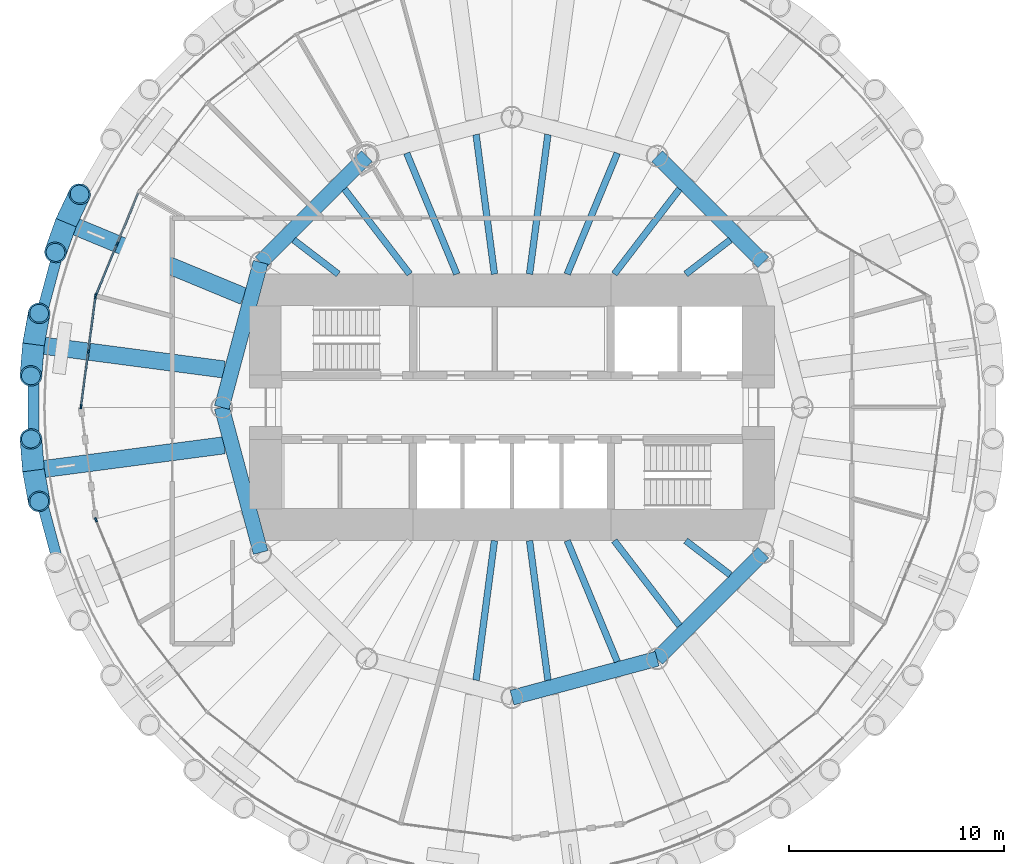
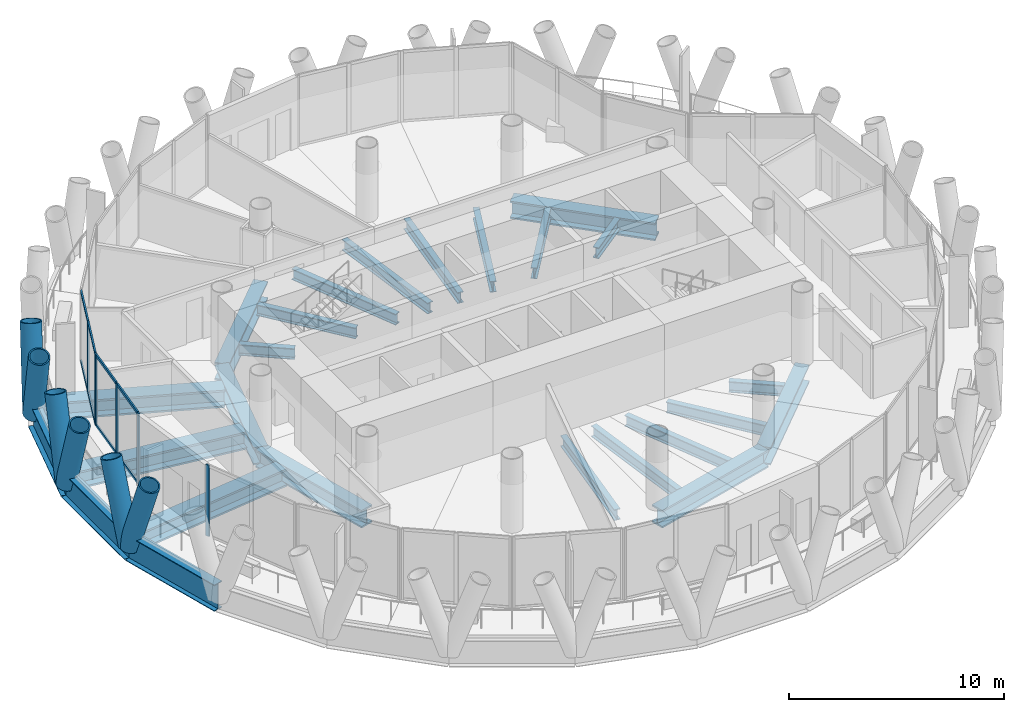
# One storey, part 3 of 14: 25 beams, 20 members, 3 elements without a shape of their own.
"""IFC4 building model written with IfcOpenShell, lengths in metres."""

from ifc_helpers import new_model, si_unit, direction, frame, origin, origin_2d, place, context, subcontext, project, spatial, rectangle, hollow_circle, i_section, extrude, material, material_profile, profile_set, type_object, element, aggregate, save


model = new_model("IFC4")

# Units and contexts
model_context = context("Model", 3, precision=1e-05, world=origin(), true_north=direction((0.0, 1.0)))
body_context = subcontext(model_context, "Body", "Model", "MODEL_VIEW")
ifc_project = project(units=[si_unit("LENGTHUNIT", "METRE"), si_unit("AREAUNIT", "SQUARE_METRE"), si_unit("VOLUMEUNIT", "CUBIC_METRE"), si_unit("PLANEANGLEUNIT", "RADIAN"), si_unit("MASSUNIT", "GRAM", prefix="KILO")], contexts=[model_context])

# Site, building, storey
site_placement = place(None, origin())
site = spatial("IfcSite", under=ifc_project, at=site_placement, CompositionType="ELEMENT")
building_placement = place(site_placement, origin())
building = spatial("IfcBuilding", under=site, at=building_placement, Name="Qaws Media Tower", CompositionType="ELEMENT")
storey_placement = place(building_placement, frame((0.0, 0.0, 236.0)))
storey = spatial("IfcBuildingStorey", under=building, at=storey_placement, Name="L54", CompositionType="ELEMENT", Elevation=236.0)

# Curtain wall, members
ifc_material_1 = material(Name="Aluminium and clear glass", Category="aluminium")
curtain_wall_type = type_object("IfcCurtainWallType", Name="Unitised curtain wall CW-C", PredefinedType="NOTDEFINED", material=ifc_material_1)
curtain_wall_1_placement = place(storey_placement, origin())
curtain_wall_1 = element("IfcCurtainWall", 1, at=curtain_wall_1_placement, inside=storey, type_object=curtain_wall_type, Name="CWC curtain wall L54-11", PredefinedType="NOTDEFINED")
ifc_material_2 = material(Name="Aluminium mullion", Category="aluminium")
ifc_material_profile_1 = material_profile(ifc_material_2, rectangle(XDim=0.080078125, YDim=0.199951171875, at=origin_2d()), Name="80x200")
ifc_profile_set_1 = profile_set([ifc_material_profile_1], Name="Aluminium mullion")
member_type_1 = type_object("IfcMemberType", Name="Curtain wall mullion 80x200", PredefinedType="MULLION", material=ifc_profile_set_1)
member_1_placement = place(storey_placement, frame((41.634765625, 57.607177734375, 0.0), z_axis=(0.0, 0.0, 1.0), x_axis=(0.923879492717, -0.382683528436, 0.0)))
member_1 = element("IfcMember", 2, at=member_1_placement, type_object=member_type_1, Name="CWC mullion 2", PredefinedType="MULLION", context=body_context, shape_type="SweptSolid", body=[
    extrude(rectangle(XDim=0.080078125, YDim=0.199951171875, at=origin_2d()), origin(), (0.0, 0.0, 1.0), 4.0400390625),
])
member_2_placement = place(storey_placement, frame((40.6484375, 55.226318359375, 0.0), z_axis=(0.0, 0.0, 1.0), x_axis=(0.923879492717, -0.382683528436, 0.0)))
member_2 = element("IfcMember", 3, at=member_2_placement, type_object=member_type_1, Name="CWC mullion 3", PredefinedType="MULLION", context=body_context, shape_type="SweptSolid", body=[
    extrude(rectangle(XDim=0.080078125, YDim=0.199951171875, at=origin_2d()), origin(), (0.0, 0.0, 1.0), 4.0400390625),
])

curtain_wall_2_placement = place(storey_placement, origin())
curtain_wall_2 = element("IfcCurtainWall", 4, at=curtain_wall_2_placement, inside=storey, type_object=curtain_wall_type, Name="CWC curtain wall L54-12", PredefinedType="NOTDEFINED")
member_3_placement = place(storey_placement, frame((40.6279296875, 55.149658203125, 0.0), z_axis=(0.0, 0.0, 1.0), x_axis=(0.99144486637, -0.130526154272, 0.0)))
member_3 = element("IfcMember", 5, at=member_3_placement, type_object=member_type_1, Name="CWC mullion 1", PredefinedType="MULLION", context=body_context, shape_type="SweptSolid", body=[
    extrude(rectangle(XDim=0.080078125, YDim=0.199951171875, at=origin_2d()), origin(), (0.0, 0.0, 1.0), 4.0400390625),
])
member_4_placement = place(storey_placement, frame((40.29150390625, 52.5947265625, 0.0), z_axis=(0.0, 0.0, 1.0), x_axis=(0.99144486637, -0.130526154272, 0.0)))
member_4 = element("IfcMember", 6, at=member_4_placement, type_object=member_type_1, Name="CWC mullion 2", PredefinedType="MULLION", context=body_context, shape_type="SweptSolid", body=[
    extrude(rectangle(XDim=0.080078125, YDim=0.199951171875, at=origin_2d()), origin(), (0.0, 0.0, 1.0), 4.0400390625),
])
member_5_placement = place(storey_placement, frame((39.955322265625, 50.03955078125, 0.0), z_axis=(0.0, 0.0, 1.0), x_axis=(0.99144486637, -0.130526154272, 0.0)))
member_5 = element("IfcMember", 7, at=member_5_placement, type_object=member_type_1, Name="CWC mullion 3", PredefinedType="MULLION", context=body_context, shape_type="SweptSolid", body=[
    extrude(rectangle(XDim=0.080078125, YDim=0.199951171875, at=origin_2d()), origin(), (0.0, 0.0, 1.0), 4.0400390625),
])

# Curtain wall, member
curtain_wall_3_placement = place(storey_placement, origin())
curtain_wall_3 = element("IfcCurtainWall", 8, at=curtain_wall_3_placement, inside=storey, type_object=curtain_wall_type, Name="CWC curtain wall L54-14", PredefinedType="NOTDEFINED")
member_6_placement = place(storey_placement, frame((40.6484375, 44.773681640625, 0.0), z_axis=(0.0, 0.0, 1.0), x_axis=(0.923879492717, 0.382683528436, 0.0)))
member_6 = element("IfcMember", 9, at=member_6_placement, type_object=member_type_1, Name="CWC mullion 1", PredefinedType="MULLION", context=body_context, shape_type="SweptSolid", body=[
    extrude(rectangle(XDim=0.080078125, YDim=0.199951171875, at=origin_2d()), origin(), (0.0, 0.0, 1.0), 4.0400390625),
])
aggregate(curtain_wall_3, [member_6])

# Member
ifc_material_3 = material(Name="Aluminium transom", Category="aluminium")
ifc_material_profile_2 = material_profile(ifc_material_3, rectangle(XDim=0.080078125, YDim=0.159912109375, at=origin_2d()), Name="80x160")
ifc_profile_set_2 = profile_set([ifc_material_profile_2], Name="Aluminium transom")
member_type_2 = type_object("IfcMemberType", Name="Curtain wall transom 80x160", PredefinedType="USERDEFINED", material=ifc_profile_set_2)
member_7_placement = place(storey_placement, frame((42.60546875, 59.951171875, 0.0400390625), z_axis=(-0.38265688181, -0.923890529664, 0.0), x_axis=(0.923890529664, -0.38265688181, 0.0)))
member_7 = element("IfcMember", 10, at=member_7_placement, type_object=member_type_2, Name="CWC transom 1.1", ObjectType="TRANSOM", PredefinedType="USERDEFINED", context=body_context, shape_type="SweptSolid", body=[
    extrude(rectangle(XDim=0.080078125, YDim=0.159912109375, at=origin_2d()), origin(), (0.0, 0.0, 1.0), 2.4970703125),
])

member_8_placement = place(storey_placement, frame((42.60546875, 59.951171875, 4.0), z_axis=(-0.38265688181, -0.923890529664, 0.0), x_axis=(0.923890529664, -0.38265688181, 0.0)))
member_8 = element("IfcMember", 11, at=member_8_placement, type_object=member_type_2, Name="CWC transom 1.2", ObjectType="TRANSOM", PredefinedType="USERDEFINED", context=body_context, shape_type="SweptSolid", body=[
    extrude(rectangle(XDim=0.080078125, YDim=0.159912109375, at=origin_2d()), origin(), (0.0, 0.0, 1.0), 2.4970703125),
])

member_9_placement = place(storey_placement, frame((41.619384765625, 57.5703125, 0.0400390625), z_axis=(-0.38265688181, -0.923890529664, 0.0), x_axis=(0.923890529664, -0.38265688181, 0.0)))
member_9 = element("IfcMember", 12, at=member_9_placement, type_object=member_type_2, Name="CWC transom 2.1", ObjectType="TRANSOM", PredefinedType="USERDEFINED", context=body_context, shape_type="SweptSolid", body=[
    extrude(rectangle(XDim=0.080078125, YDim=0.159912109375, at=origin_2d()), origin(), (0.0, 0.0, 1.0), 2.4970703125),
])

member_10_placement = place(storey_placement, frame((41.619384765625, 57.5703125, 4.0), z_axis=(-0.38265688181, -0.923890529664, 0.0), x_axis=(0.923890529664, -0.38265688181, 0.0)))
member_10 = element("IfcMember", 13, at=member_10_placement, type_object=member_type_2, Name="CWC transom 2.2", ObjectType="TRANSOM", PredefinedType="USERDEFINED", context=body_context, shape_type="SweptSolid", body=[
    extrude(rectangle(XDim=0.080078125, YDim=0.159912109375, at=origin_2d()), origin(), (0.0, 0.0, 1.0), 2.4970703125),
])

aggregate(curtain_wall_1, [member_1, member_2, member_7, member_8, member_9, member_10])

member_11_placement = place(storey_placement, frame((40.622802734375, 55.110107421875, 0.0400390625), z_axis=(-0.130517737487, -0.991445974424, 0.0), x_axis=(0.991445974424, -0.130517737487, 0.0)))
member_11 = element("IfcMember", 14, at=member_11_placement, type_object=member_type_2, Name="CWC transom 1.1", ObjectType="TRANSOM", PredefinedType="USERDEFINED", context=body_context, shape_type="SweptSolid", body=[
    extrude(rectangle(XDim=0.080078125, YDim=0.159912109375, at=origin_2d()), origin(), (0.0, 0.0, 1.0), 2.4970703125),
])

member_12_placement = place(storey_placement, frame((40.622802734375, 55.110107421875, 4.0), z_axis=(-0.130517737487, -0.991445974424, 0.0), x_axis=(0.991445974424, -0.130517737487, 0.0)))
member_12 = element("IfcMember", 15, at=member_12_placement, type_object=member_type_2, Name="CWC transom 1.2", ObjectType="TRANSOM", PredefinedType="USERDEFINED", context=body_context, shape_type="SweptSolid", body=[
    extrude(rectangle(XDim=0.080078125, YDim=0.159912109375, at=origin_2d()), origin(), (0.0, 0.0, 1.0), 2.4970703125),
])

member_13_placement = place(storey_placement, frame((40.286376953125, 52.554931640625, 0.0400390625), z_axis=(-0.130530389761, -0.991444308748, 0.0), x_axis=(0.991444308748, -0.130530389761, 0.0)))
member_13 = element("IfcMember", 16, at=member_13_placement, type_object=member_type_2, Name="CWC transom 2.1", ObjectType="TRANSOM", PredefinedType="USERDEFINED", context=body_context, shape_type="SweptSolid", body=[
    extrude(rectangle(XDim=0.080078125, YDim=0.159912109375, at=origin_2d()), origin(), (0.0, 0.0, 1.0), 2.4970703125),
])

member_14_placement = place(storey_placement, frame((40.286376953125, 52.554931640625, 4.0), z_axis=(-0.130530389761, -0.991444308748, 0.0), x_axis=(0.991444308748, -0.130530389761, 0.0)))
member_14 = element("IfcMember", 17, at=member_14_placement, type_object=member_type_2, Name="CWC transom 2.2", ObjectType="TRANSOM", PredefinedType="USERDEFINED", context=body_context, shape_type="SweptSolid", body=[
    extrude(rectangle(XDim=0.080078125, YDim=0.159912109375, at=origin_2d()), origin(), (0.0, 0.0, 1.0), 2.4970703125),
])

aggregate(curtain_wall_2, [member_3, member_4, member_5, member_11, member_12, member_13, member_14])

# Members
ifc_material_4 = material(Name="Steel S460", Category="steel")
ifc_material_profile_3 = material_profile(ifc_material_4, hollow_circle(Radius=0.508056640625, WallThickness=0.070068359375, at=origin_2d()), Name="CHS 1016x70")
ifc_profile_set_3 = profile_set([ifc_material_profile_3], Name="Steel S460")
member_type_3 = type_object("IfcMemberType", Name="Diagrid member CHS 1016x70", PredefinedType="USERDEFINED", material=ifc_profile_set_3)
for number, where, z_axis, x_axis, name in (
    (18, (39.2587890625, 58.59130859375, -0.909912109375), (-0.110950962725, -0.310849260058, 0.943961133412), (0.941805836856, -0.336157352537, 0.0), "DG3 diagrid L54 A11"),
    (19, (39.2587890625, 58.59130859375, -0.909912109375), (0.14135120476, 0.298231287993, 0.943969245142), (-0.903639637176, 0.428293598043, 0.0), "DG3 diagrid L54 B11"),
    (20, (37.741943359375, 52.930419921875, -0.909912109375), (-0.026722269724, -0.329007657627, 0.943949088417), (0.996717819765, -0.080954232526, 0.0), "DG3 diagrid L54 A12"),
    (21, (37.741943359375, 52.930419921875, -0.909912109375), (0.05931662613, 0.324677591868, 0.943962922579), (-0.983717934113, 0.179719298086, 0.0), "DG3 diagrid L54 B12"),
    (22, (37.741943359375, 47.069580078125, -0.909912109375), (0.05931662613, -0.324677591868, 0.943962922579), (0.983717934113, 0.179719298086, 0.0), "DG3 diagrid L54 A13"),
    (23, (37.741943359375, 47.069580078125, -0.909912109375), (-0.026722269724, 0.329007657627, 0.943949088417), (-0.996717819765, -0.080954232526, 0.0), "DG3 diagrid L54 B13"),
):
    element("IfcMember", number, at=place(storey_placement, frame(where, z_axis=z_axis, x_axis=x_axis)), inside=storey, type_object=member_type_3, Name=name, ObjectType="DIAGRID", PredefinedType="USERDEFINED", context=body_context, shape_type="SweptSolid", body=[
        extrude(hollow_circle(Radius=0.508056640625, WallThickness=0.070068359375, at=origin_2d()), origin(), (0.0, 0.0, 1.0), 4.44921875),
    ])

# Beams
ifc_material_5 = material(Name="Steel S460", Category="steel")
ifc_material_profile_4 = material_profile(ifc_material_5, i_section(OverallWidth=0.5, OverallDepth=1.5, WebThickness=0.02001953125, FlangeThickness=0.0400390625, at=origin_2d()), Name="PG 1500x500")
ifc_profile_set_4 = profile_set([ifc_material_profile_4], Name="Steel S460")
beam_type_1 = type_object("IfcBeamType", Name="Edge ring beam PG 1500x500", PredefinedType="BEAM", material=ifc_profile_set_4)
beam_1_placement = place(storey_placement, frame((39.2587890625, 58.59130859375, -0.909912109375), z_axis=(-0.258821457805, -0.965925179804, 0.0), x_axis=(0.965925179804, -0.258821457805, 0.0)))
element("IfcBeam", 24, at=beam_1_placement, inside=storey, type_object=beam_type_1, Name="RB4 edge ring beam L54-11", PredefinedType="BEAM", context=body_context, shape_type="SweptSolid", body=[
    extrude(i_section(OverallWidth=0.5, OverallDepth=1.5, WebThickness=0.02001953125, FlangeThickness=0.0400390625, at=origin_2d()), origin(), (0.0, 0.0, 1.0), 5.860595703125),
])
beam_2_placement = place(storey_placement, frame((37.741943359375, 52.930419921875, -0.909912109375), z_axis=(0.0, -1.0, 0.0), x_axis=(1.0, 0.0, 0.0)))
element("IfcBeam", 25, at=beam_2_placement, inside=storey, type_object=beam_type_1, Name="RB4 edge ring beam L54-12", PredefinedType="BEAM", context=body_context, shape_type="SweptSolid", body=[
    extrude(i_section(OverallWidth=0.5, OverallDepth=1.5, WebThickness=0.02001953125, FlangeThickness=0.0400390625, at=origin_2d()), origin(), (0.0, 0.0, 1.0), 5.86083984375),
])
beam_3_placement = place(storey_placement, frame((37.741943359375, 47.069580078125, -0.909912109375), z_axis=(0.258821457805, -0.965925179804, 0.0), x_axis=(0.965925179804, 0.258821457805, 0.0)))
element("IfcBeam", 26, at=beam_3_placement, inside=storey, type_object=beam_type_1, Name="RB4 edge ring beam L54-13", PredefinedType="BEAM", context=body_context, shape_type="SweptSolid", body=[
    extrude(i_section(OverallWidth=0.5, OverallDepth=1.5, WebThickness=0.02001953125, FlangeThickness=0.0400390625, at=origin_2d()), origin(), (0.0, 0.0, 1.0), 5.860595703125),
])
ifc_material_6 = material(Name="Steel S460", Category="steel")
ifc_material_profile_5 = material_profile(ifc_material_6, i_section(OverallWidth=0.699951171875, OverallDepth=1.0, WebThickness=0.034912109375, FlangeThickness=0.090087890625, at=origin_2d()), Name="PG 1000x700")
ifc_profile_set_5 = profile_set([ifc_material_profile_5], Name="Steel S460")
beam_type_2 = type_object("IfcBeamType", Name="Inner ring girder PG 1000x700", PredefinedType="BEAM", material=ifc_profile_set_5)
for number, where, z_axis, x_axis, name in (
    (27, (71.69140625, 56.75, -0.659912109375), (-0.707106781187, 0.707106781187, 0.0), (-0.707106781187, -0.707106781187, 0.0), "B3 inner ring beam L54 I02-I03"),
    (28, (53.25, 61.69140625, -0.659912109375), (-0.707106781187, -0.707106781187, 0.0), (0.707106781187, -0.707106781187, 0.0), "B3 inner ring beam L54 I05-I06"),
):
    element("IfcBeam", number, at=place(storey_placement, frame(where, z_axis=z_axis, x_axis=x_axis)), inside=storey, type_object=beam_type_2, Name=name, PredefinedType="BEAM", context=body_context, shape_type="SweptSolid", body=[
        extrude(i_section(OverallWidth=0.699951171875, OverallDepth=1.0, WebThickness=0.034912109375, FlangeThickness=0.090087890625, at=origin_2d()), origin(), (0.0, 0.0, 1.0), 6.98828125),
    ])
for number, where, z_axis, x_axis, name in (
    (29, (48.30859375, 56.75, -0.659912109375), (-0.258810593767, -0.965928090778, 0.0), (0.965928090778, -0.258810593767, 0.0), "B3 inner ring beam L54 I06-I07"),
    (30, (46.5, 50.0, -0.659912109375), (0.258810593767, -0.965928090778, 0.0), (0.965928090778, 0.258810593767, 0.0), "B3 inner ring beam L54 I07-I08"),
    (31, (60.0, 36.5, -0.659912109375), (0.965928090778, 0.258810593767, 0.0), (-0.258810593767, 0.965928090778, 0.0), "B3 inner ring beam L54 I10-I11"),
):
    element("IfcBeam", number, at=place(storey_placement, frame(where, z_axis=z_axis, x_axis=x_axis)), inside=storey, type_object=beam_type_2, Name=name, PredefinedType="BEAM", context=body_context, shape_type="SweptSolid", body=[
        extrude(i_section(OverallWidth=0.699951171875, OverallDepth=1.0, WebThickness=0.034912109375, FlangeThickness=0.090087890625, at=origin_2d()), origin(), (0.0, 0.0, 1.0), 6.988037109375),
    ])
beam_4_placement = place(storey_placement, frame((66.75, 38.30859375, -0.659912109375), z_axis=(0.707106781187, 0.707106781187, 0.0), x_axis=(-0.707106781187, 0.707106781187, 0.0)))
element("IfcBeam", 32, at=beam_4_placement, inside=storey, type_object=beam_type_2, Name="B3 inner ring beam L54 I11-I12", PredefinedType="BEAM", context=body_context, shape_type="SweptSolid", body=[
    extrude(i_section(OverallWidth=0.699951171875, OverallDepth=1.0, WebThickness=0.034912109375, FlangeThickness=0.090087890625, at=origin_2d()), origin(), (0.0, 0.0, 1.0), 6.98828125),
])
ifc_material_7 = material(Name="Steel S355", Category="steel")
ifc_material_profile_6 = material_profile(ifc_material_7, i_section(OverallWidth=0.304931640625, OverallDepth=0.6201171875, WebThickness=0.02099609375, FlangeThickness=0.0400390625, FilletRadius=0.027099609375, at=origin_2d()), Name="HE 600 M")
ifc_profile_set_6 = profile_set([ifc_material_profile_6], Name="Steel S355")
beam_type_3 = type_object("IfcBeamType", Name="Radial beam HE 600 M, core side", PredefinedType="BEAM", material=ifc_profile_set_6)
beam_5_placement = place(storey_placement, frame((68.080078125, 56.199951171875, -0.469970703125), z_axis=(0.793352321936, 0.608762756152, 0.0), x_axis=(-0.608762756152, 0.793352321936, 0.0)))
element("IfcBeam", 33, at=beam_5_placement, inside=storey, type_object=beam_type_3, Name="B2 radial beam L54 03", PredefinedType="BEAM", context=body_context, shape_type="SweptSolid", body=[
    extrude(i_section(OverallWidth=0.304931640625, OverallDepth=0.6201171875, WebThickness=0.02099609375, FlangeThickness=0.0400390625, FilletRadius=0.027099609375, at=origin_2d()), origin(), (0.0, 0.0, 1.0), 2.61474609375),
])
beam_6_placement = place(storey_placement, frame((64.75732421875, 56.199951171875, -0.469970703125), z_axis=(0.60875641792, 0.79335718541, 0.0), x_axis=(-0.79335718541, 0.60875641792, 0.0)))
element("IfcBeam", 34, at=beam_6_placement, inside=storey, type_object=beam_type_3, Name="B2 radial beam L54 04", PredefinedType="BEAM", context=body_context, shape_type="SweptSolid", body=[
    extrude(i_section(OverallWidth=0.304931640625, OverallDepth=0.6201171875, WebThickness=0.02099609375, FlangeThickness=0.0400390625, FilletRadius=0.027099609375, at=origin_2d()), origin(), (0.0, 0.0, 1.0), 4.984619140625),
])
beam_7_placement = place(storey_placement, frame((62.568115234375, 56.199951171875, -0.469970703125), z_axis=(0.38268703658, 0.923878039588, 0.0), x_axis=(-0.923878039588, 0.38268703658, 0.0)))
element("IfcBeam", 35, at=beam_7_placement, inside=storey, type_object=beam_type_3, Name="B2 radial beam L54 05", PredefinedType="BEAM", context=body_context, shape_type="SweptSolid", body=[
    extrude(i_section(OverallWidth=0.304931640625, OverallDepth=0.6201171875, WebThickness=0.02099609375, FlangeThickness=0.0400390625, FilletRadius=0.027099609375, at=origin_2d()), origin(), (0.0, 0.0, 1.0), 6.088623046875),
])
for number, where, z_axis, x_axis, name in (
    (36, (60.816162109375, 56.199951171875, -0.469970703125), (0.130536517951, 0.991443501911, 0.0), (-0.991443501911, 0.130536517951, 0.0), "B2 radial beam L54 06"),
    (37, (59.183837890625, 56.199951171875, -0.469970703125), (-0.130536517951, 0.991443501911, 0.0), (-0.991443501911, -0.130536517951, 0.0), "B2 radial beam L54 07"),
):
    element("IfcBeam", number, at=place(storey_placement, frame(where, z_axis=z_axis, x_axis=x_axis)), inside=storey, type_object=beam_type_3, Name=name, PredefinedType="BEAM", context=body_context, shape_type="SweptSolid", body=[
        extrude(i_section(OverallWidth=0.304931640625, OverallDepth=0.6201171875, WebThickness=0.02099609375, FlangeThickness=0.0400390625, FilletRadius=0.027099609375, at=origin_2d()), origin(), (0.0, 0.0, 1.0), 6.5458984375),
    ])
beam_8_placement = place(storey_placement, frame((57.431884765625, 56.199951171875, -0.469970703125), z_axis=(-0.38268703658, 0.923878039588, 0.0), x_axis=(-0.923878039588, -0.38268703658, 0.0)))
element("IfcBeam", 38, at=beam_8_placement, inside=storey, type_object=beam_type_3, Name="B2 radial beam L54 08", PredefinedType="BEAM", context=body_context, shape_type="SweptSolid", body=[
    extrude(i_section(OverallWidth=0.304931640625, OverallDepth=0.6201171875, WebThickness=0.02099609375, FlangeThickness=0.0400390625, FilletRadius=0.027099609375, at=origin_2d()), origin(), (0.0, 0.0, 1.0), 6.088623046875),
])
beam_9_placement = place(storey_placement, frame((55.24267578125, 56.199951171875, -0.469970703125), z_axis=(-0.60875641792, 0.79335718541, 0.0), x_axis=(-0.79335718541, -0.60875641792, 0.0)))
element("IfcBeam", 39, at=beam_9_placement, inside=storey, type_object=beam_type_3, Name="B2 radial beam L54 09", PredefinedType="BEAM", context=body_context, shape_type="SweptSolid", body=[
    extrude(i_section(OverallWidth=0.304931640625, OverallDepth=0.6201171875, WebThickness=0.02099609375, FlangeThickness=0.0400390625, FilletRadius=0.027099609375, at=origin_2d()), origin(), (0.0, 0.0, 1.0), 4.984619140625),
])
beam_10_placement = place(storey_placement, frame((51.919921875, 56.199951171875, -0.469970703125), z_axis=(-0.793352321936, 0.608762756152, 0.0), x_axis=(-0.608762756152, -0.793352321936, 0.0)))
element("IfcBeam", 40, at=beam_10_placement, inside=storey, type_object=beam_type_3, Name="B2 radial beam L54 10", PredefinedType="BEAM", context=body_context, shape_type="SweptSolid", body=[
    extrude(i_section(OverallWidth=0.304931640625, OverallDepth=0.6201171875, WebThickness=0.02099609375, FlangeThickness=0.0400390625, FilletRadius=0.027099609375, at=origin_2d()), origin(), (0.0, 0.0, 1.0), 2.61474609375),
])
for number, where, z_axis, x_axis, name in (
    (41, (59.183837890625, 43.800048828125, -0.469970703125), (-0.130536517951, -0.991443501911, 0.0), (0.991443501911, -0.130536517951, 0.0), "B2 radial beam L54 18"),
    (42, (60.816162109375, 43.800048828125, -0.469970703125), (0.130536517951, -0.991443501911, 0.0), (0.991443501911, 0.130536517951, 0.0), "B2 radial beam L54 19"),
):
    element("IfcBeam", number, at=place(storey_placement, frame(where, z_axis=z_axis, x_axis=x_axis)), inside=storey, type_object=beam_type_3, Name=name, PredefinedType="BEAM", context=body_context, shape_type="SweptSolid", body=[
        extrude(i_section(OverallWidth=0.304931640625, OverallDepth=0.6201171875, WebThickness=0.02099609375, FlangeThickness=0.0400390625, FilletRadius=0.027099609375, at=origin_2d()), origin(), (0.0, 0.0, 1.0), 6.5458984375),
    ])
beam_11_placement = place(storey_placement, frame((62.568115234375, 43.800048828125, -0.469970703125), z_axis=(0.38268703658, -0.923878039588, 0.0), x_axis=(0.923878039588, 0.38268703658, 0.0)))
element("IfcBeam", 43, at=beam_11_placement, inside=storey, type_object=beam_type_3, Name="B2 radial beam L54 20", PredefinedType="BEAM", context=body_context, shape_type="SweptSolid", body=[
    extrude(i_section(OverallWidth=0.304931640625, OverallDepth=0.6201171875, WebThickness=0.02099609375, FlangeThickness=0.0400390625, FilletRadius=0.027099609375, at=origin_2d()), origin(), (0.0, 0.0, 1.0), 6.088623046875),
])
beam_12_placement = place(storey_placement, frame((64.75732421875, 43.800048828125, -0.469970703125), z_axis=(0.60875641792, -0.79335718541, 0.0), x_axis=(0.79335718541, 0.60875641792, 0.0)))
element("IfcBeam", 44, at=beam_12_placement, inside=storey, type_object=beam_type_3, Name="B2 radial beam L54 21", PredefinedType="BEAM", context=body_context, shape_type="SweptSolid", body=[
    extrude(i_section(OverallWidth=0.304931640625, OverallDepth=0.6201171875, WebThickness=0.02099609375, FlangeThickness=0.0400390625, FilletRadius=0.027099609375, at=origin_2d()), origin(), (0.0, 0.0, 1.0), 4.984619140625),
])
beam_13_placement = place(storey_placement, frame((68.080078125, 43.800048828125, -0.469970703125), z_axis=(0.793352321936, -0.608762756152, 0.0), x_axis=(0.608762756152, 0.793352321936, 0.0)))
element("IfcBeam", 45, at=beam_13_placement, inside=storey, type_object=beam_type_3, Name="B2 radial beam L54 22", PredefinedType="BEAM", context=body_context, shape_type="SweptSolid", body=[
    extrude(i_section(OverallWidth=0.304931640625, OverallDepth=0.6201171875, WebThickness=0.02099609375, FlangeThickness=0.0400390625, FilletRadius=0.027099609375, at=origin_2d()), origin(), (0.0, 0.0, 1.0), 2.61474609375),
])
ifc_material_8 = material(Name="Steel S460", Category="steel")
ifc_material_profile_7 = material_profile(ifc_material_8, i_section(OverallWidth=0.800048828125, OverallDepth=1.0, WebThickness=0.0400390625, FlangeThickness=0.10009765625, at=origin_2d()), Name="PG 1000x800")
ifc_profile_set_7 = profile_set([ifc_material_profile_7], Name="Steel S460")
beam_type_4 = type_object("IfcBeamType", Name="Radial girder PG 1000x800", PredefinedType="BEAM", material=ifc_profile_set_7)
for number, where, z_axis, x_axis, name in (
    (46, (47.5224609375, 55.16845703125, -0.659912109375), (-0.923882433922, 0.382676427665, 0.0), (-0.382676427665, -0.923882433922, 0.0), "B1 radial beam L54 11"),
    (47, (46.610107421875, 51.762939453125, -0.659912109375), (-0.991445374669, 0.130522293296, 0.0), (-0.130522293296, -0.991445374669, 0.0), "B1 radial beam L54 12"),
    (48, (46.610107421875, 48.237060546875, -0.659912109375), (-0.991445374669, -0.130522293296, 0.0), (0.130522293296, -0.991445374669, 0.0), "B1 radial beam L54 13"),
):
    element("IfcBeam", number, at=place(storey_placement, frame(where, z_axis=z_axis, x_axis=x_axis)), inside=storey, type_object=beam_type_4, Name=name, PredefinedType="BEAM", context=body_context, shape_type="SweptSolid", body=[
        extrude(i_section(OverallWidth=0.800048828125, OverallDepth=1.0, WebThickness=0.0400390625, FlangeThickness=0.10009765625, at=origin_2d()), origin(), (0.0, 0.0, 1.0), 8.944580078125),
    ])

save(model, "model.ifc")
